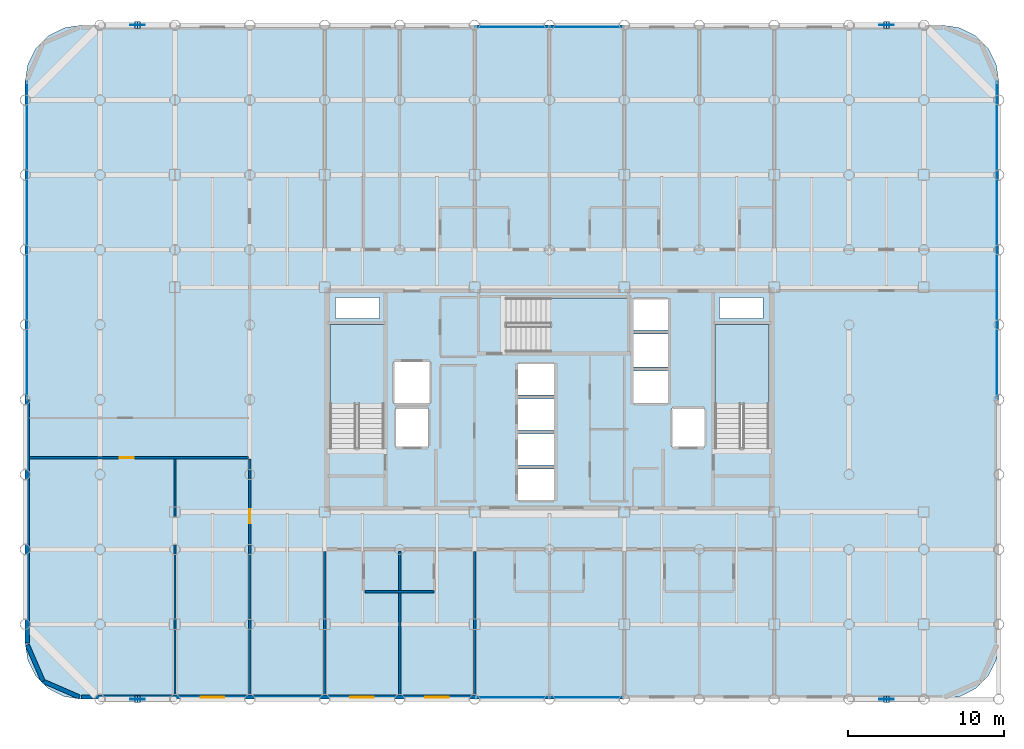
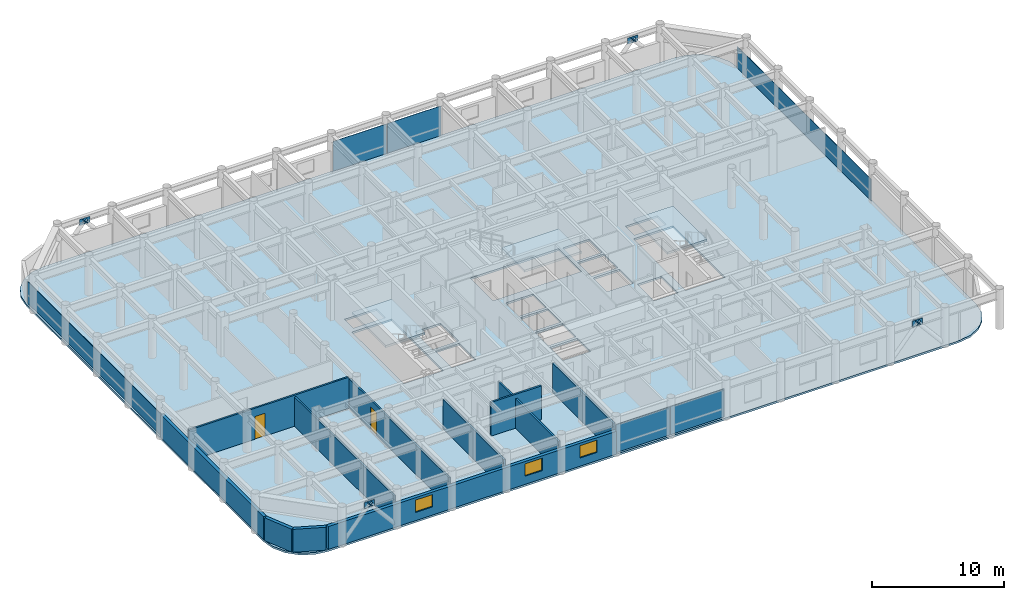
# One storey, part 15 of 20: 18 plates, 11 walls, 4 slabs, 3 windows, 2 doors, 5 openings, 7 elements without a shape of their own.
"""IFC4 building model written with IfcOpenShell, lengths in metres."""

from ifc_helpers import new_model, si_unit, direction, frame, frame_2d, origin, origin_2d, place, context, subcontext, project, spatial, polyline, rectangle, outline, extrude, material, layer, layer_set, type_object, element, fill, aggregate, save


model = new_model("IFC4")

# Units and contexts
model_context = context("Model", 3, precision=1e-05, world=origin(), true_north=direction((0.0, 1.0)))
body_context = subcontext(model_context, "Body", "Model", "MODEL_VIEW")
ifc_project = project(units=[si_unit("LENGTHUNIT", "METRE"), si_unit("AREAUNIT", "SQUARE_METRE"), si_unit("VOLUMEUNIT", "CUBIC_METRE"), si_unit("PLANEANGLEUNIT", "RADIAN"), si_unit("MASSUNIT", "GRAM", prefix="KILO")], contexts=[model_context])

# Site, building, storey
site_placement = place(None, origin())
site = spatial("IfcSite", under=ifc_project, at=site_placement, CompositionType="ELEMENT")
building_placement = place(site_placement, origin())
building = spatial("IfcBuilding", under=site, at=building_placement, Name="Kallvorn Hotel Tower", CompositionType="ELEMENT")
storey_placement = place(building_placement, frame((0.0, 0.0, 132.199951171875)))
storey = spatial("IfcBuildingStorey", under=building, at=storey_placement, Name="L32", CompositionType="ELEMENT", Elevation=132.199951171875)

# Curtain wall, plates
ifc_material_1 = material(Name="Thermally broken black-anodised aluminium AA 6063-T6", Category="aluminium")
ifc_layer_1 = layer(ifc_material_1, 0.2099609375)
ifc_layer_set_1 = layer_set([ifc_layer_1], Name="CW_SYS_4_HOTEL_MID")
curtain_wall_type = type_object("IfcCurtainWallType", Name="CW_SYS_4_HOTEL_MID", PredefinedType="USERDEFINED", material=ifc_layer_set_1)
curtain_wall_1_placement = place(storey_placement, origin())
curtain_wall_1 = element("IfcCurtainWall", 1, at=curtain_wall_1_placement, inside=storey, type_object=curtain_wall_type, Name="L32 Dark-Glass Curtain Wall CW-L32-SC", ObjectType="UNITISED CURTAIN WALL", PredefinedType="USERDEFINED")
ifc_material_2 = material(Name="Double-glazed low-e solar-control dark glass", Category="glass")
ifc_layer_2 = layer(ifc_material_2, 0.037841796875)
ifc_layer_set_2 = layer_set([ifc_layer_2], Name="CW_SYS_4_HOTEL_MID_PANEL")
plate_type_1 = type_object("IfcPlateType", Name="CW_SYS_4_HOTEL_MID_PANEL", PredefinedType="CURTAIN_PANEL", material=ifc_layer_set_2)
plate_1_placement = place(storey_placement, frame((-2.375, -19.080078125, 0.06005859375), z_axis=(0.0, 0.0, 1.0), x_axis=(1.0, 0.0, 0.0)))
plate_1 = element("IfcPlate", 2, at=plate_1_placement, type_object=plate_type_1, Name="CW-L32-SC Vision Glass Panel 00", PredefinedType="CURTAIN_PANEL", context=body_context, shape_type="SweptSolid", body=[
    extrude(rectangle(XDim=4.68994140625, YDim=0.037841796875, at=origin_2d()), origin(), (0.0, 0.0, 1.0), 2.60009765625),
])
plate_2_placement = place(storey_placement, frame((2.375, -19.080078125, 0.06005859375), z_axis=(0.0, 0.0, 1.0), x_axis=(1.0, 0.0, 0.0)))
plate_2 = element("IfcPlate", 3, at=plate_2_placement, type_object=plate_type_1, Name="CW-L32-SC Vision Glass Panel 01", PredefinedType="CURTAIN_PANEL", context=body_context, shape_type="SweptSolid", body=[
    extrude(rectangle(XDim=4.68994140625, YDim=0.037841796875, at=origin_2d()), origin(), (0.0, 0.0, 1.0), 2.60009765625),
])
aggregate(curtain_wall_1, [plate_1, plate_2])

curtain_wall_2_placement = place(storey_placement, origin())
curtain_wall_2 = element("IfcCurtainWall", 4, at=curtain_wall_2_placement, inside=storey, type_object=curtain_wall_type, Name="L32 Dark-Glass Curtain Wall CW-L32-NC", ObjectType="UNITISED CURTAIN WALL", PredefinedType="USERDEFINED")
plate_3_placement = place(storey_placement, frame((-2.375, 23.8798828125, 0.06005859375), z_axis=(0.0, 0.0, 1.0), x_axis=(1.0, 0.0, 0.0)))
plate_3 = element("IfcPlate", 5, at=plate_3_placement, type_object=plate_type_1, Name="CW-L32-NC Vision Glass Panel 00", PredefinedType="CURTAIN_PANEL", context=body_context, shape_type="SweptSolid", body=[
    extrude(rectangle(XDim=4.68994140625, YDim=0.037841796875, at=origin_2d()), origin(), (0.0, 0.0, 1.0), 2.75),
])
plate_4_placement = place(storey_placement, frame((2.375, 23.8798828125, 0.06005859375), z_axis=(0.0, 0.0, 1.0), x_axis=(1.0, 0.0, 0.0)))
plate_4 = element("IfcPlate", 6, at=plate_4_placement, type_object=plate_type_1, Name="CW-L32-NC Vision Glass Panel 01", PredefinedType="CURTAIN_PANEL", context=body_context, shape_type="SweptSolid", body=[
    extrude(rectangle(XDim=4.68994140625, YDim=0.037841796875, at=origin_2d()), origin(), (0.0, 0.0, 1.0), 2.75),
])
aggregate(curtain_wall_2, [plate_3, plate_4])

# Curtain wall, plate
curtain_wall_3_placement = place(storey_placement, origin())
curtain_wall_3 = element("IfcCurtainWall", 7, at=curtain_wall_3_placement, inside=storey, type_object=curtain_wall_type, Name="L32 Dark-Glass Curtain Wall CW-L32-WN", ObjectType="UNITISED CURTAIN WALL", PredefinedType="USERDEFINED")
plate_5_placement = place(storey_placement, frame((-33.47998046875, 10.2099609375, 0.06005859375), z_axis=(0.0, 0.0, 1.0), x_axis=(0.0, 1.0, 0.0)))
plate_5 = element("IfcPlate", 8, at=plate_5_placement, type_object=plate_type_1, Name="CW-L32-WN Vision Glass Panel 00", PredefinedType="CURTAIN_PANEL", context=body_context, shape_type="SweptSolid", body=[
    extrude(rectangle(XDim=20.320068359375, YDim=0.037841796875, at=origin_2d()), origin(), (0.0, 0.0, 1.0), 2.0),
])
aggregate(curtain_wall_3, [plate_5])

curtain_wall_4_placement = place(storey_placement, origin())
curtain_wall_4 = element("IfcCurtainWall", 9, at=curtain_wall_4_placement, inside=storey, type_object=curtain_wall_type, Name="L32 Dark-Glass Curtain Wall CW-L32-EN", ObjectType="UNITISED CURTAIN WALL", PredefinedType="USERDEFINED")
plate_6_placement = place(storey_placement, frame((28.679931640625, 10.2099609375, 0.06005859375), z_axis=(0.0, 0.0, 1.0), x_axis=(0.0, 1.0, 0.0)))
plate_6 = element("IfcPlate", 10, at=plate_6_placement, type_object=plate_type_1, Name="CW-L32-EN Vision Glass Panel 00", PredefinedType="CURTAIN_PANEL", context=body_context, shape_type="SweptSolid", body=[
    extrude(rectangle(XDim=20.320068359375, YDim=0.037841796875, at=origin_2d()), origin(), (0.0, 0.0, 1.0), 2.0),
])
aggregate(curtain_wall_4, [plate_6])

# Plates
ifc_material_3 = material(Name="Structural steel S355JR", Category="steel")
ifc_layer_3 = layer(ifc_material_3, 0.030029296875)
ifc_layer_set_3 = layer_set([ifc_layer_3], Name="PLT_CAP_30")
plate_type_2 = type_object("IfcPlateType", Name="PLT_CAP_30", PredefinedType="SHEET", material=ifc_layer_set_3)
plate_7_placement = place(storey_placement, frame((-26.227294921875, -19.417724609375, 2.876708984375), z_axis=(0.646720691081, 0.0, 0.762726915565), x_axis=(0.0, 1.0, 0.0)))
element("IfcPlate", 11, at=plate_7_placement, inside=storey, type_object=plate_type_2, Name="EXO-L32-S1A End Cap Plate B", PredefinedType="SHEET", context=body_context, shape_type="SweptSolid", body=[
    extrude(outline(polyline([(0.0, 0.0), (0.435546875, 0.0), (0.435546875, 0.4356413597636253), (0.0, 0.4356413597636253), (0.0, 0.0)])), origin(), (0.0, 0.0, -1.0), 0.030029296875),
])
plate_8_placement = place(storey_placement, frame((-26.572509765625, -18.982177734375, 2.876708984375), z_axis=(-0.646997204148, 0.0, 0.762492372306), x_axis=(0.0, -1.0, 0.0)))
element("IfcPlate", 12, at=plate_8_placement, inside=storey, type_object=plate_type_2, Name="EXO-L32-S1B End Cap Plate B", PredefinedType="SHEET", context=body_context, shape_type="SweptSolid", body=[
    extrude(outline(polyline([(0.0, 0.0), (0.435546875, 0.0), (0.435546875, 0.43545517576240456), (0.0, 0.43545517576240456), (0.0, 0.0)])), origin(), (0.0, 0.0, -1.0), 0.030029296875),
])
plate_9_placement = place(storey_placement, frame((21.772705078125, -19.417724609375, 2.876708984375), z_axis=(0.646720691081, 0.0, 0.762726915565), x_axis=(0.0, 1.0, 0.0)))
element("IfcPlate", 13, at=plate_9_placement, inside=storey, type_object=plate_type_2, Name="EXO-L32-S2A End Cap Plate B", PredefinedType="SHEET", context=body_context, shape_type="SweptSolid", body=[
    extrude(outline(polyline([(0.0, 0.0), (0.435546875, 0.0), (0.435546875, 0.4356413597636253), (0.0, 0.4356413597636253), (0.0, 0.0)])), origin(), (0.0, 0.0, -1.0), 0.030029296875),
])
plate_10_placement = place(storey_placement, frame((21.427490234375, -18.982177734375, 2.876708984375), z_axis=(-0.646997204148, 0.0, 0.762492372306), x_axis=(0.0, -1.0, 0.0)))
element("IfcPlate", 14, at=plate_10_placement, inside=storey, type_object=plate_type_2, Name="EXO-L32-S2B End Cap Plate B", PredefinedType="SHEET", context=body_context, shape_type="SweptSolid", body=[
    extrude(outline(polyline([(0.0, 0.0), (0.435546875, 0.0), (0.435546875, 0.43545517576240456), (0.0, 0.43545517576240456), (0.0, 0.0)])), origin(), (0.0, 0.0, -1.0), 0.030029296875),
])
plate_11_placement = place(storey_placement, frame((-26.227294921875, 23.7822265625, 2.876708984375), z_axis=(0.646720691081, 0.0, 0.762726915565), x_axis=(0.0, 1.0, 0.0)))
element("IfcPlate", 15, at=plate_11_placement, inside=storey, type_object=plate_type_2, Name="EXO-L32-N1A End Cap Plate B", PredefinedType="SHEET", context=body_context, shape_type="SweptSolid", body=[
    extrude(outline(polyline([(0.0, 0.0), (0.435546875, 0.0), (0.435546875, 0.4356413597636253), (0.0, 0.4356413597636253), (0.0, 0.0)])), origin(), (0.0, 0.0, -1.0), 0.030029296875),
])
plate_12_placement = place(storey_placement, frame((-26.572509765625, 24.2177734375, 2.876708984375), z_axis=(-0.646997204148, 0.0, 0.762492372306), x_axis=(0.0, -1.0, 0.0)))
element("IfcPlate", 16, at=plate_12_placement, inside=storey, type_object=plate_type_2, Name="EXO-L32-N1B End Cap Plate B", PredefinedType="SHEET", context=body_context, shape_type="SweptSolid", body=[
    extrude(outline(polyline([(0.0, 0.0), (0.435546875, 0.0), (0.435546875, 0.43545517576240456), (0.0, 0.43545517576240456), (0.0, 0.0)])), origin(), (0.0, 0.0, -1.0), 0.030029296875),
])
plate_13_placement = place(storey_placement, frame((21.772705078125, 23.7822265625, 2.876708984375), z_axis=(0.646720691081, 0.0, 0.762726915565), x_axis=(0.0, 1.0, 0.0)))
element("IfcPlate", 17, at=plate_13_placement, inside=storey, type_object=plate_type_2, Name="EXO-L32-N2A End Cap Plate B", PredefinedType="SHEET", context=body_context, shape_type="SweptSolid", body=[
    extrude(outline(polyline([(0.0, 0.0), (0.435546875, 0.0), (0.435546875, 0.4356413597636253), (0.0, 0.4356413597636253), (0.0, 0.0)])), origin(), (0.0, 0.0, -1.0), 0.030029296875),
])
plate_14_placement = place(storey_placement, frame((21.427490234375, 24.2177734375, 2.876708984375), z_axis=(-0.646997204148, 0.0, 0.762492372306), x_axis=(0.0, -1.0, 0.0)))
element("IfcPlate", 18, at=plate_14_placement, inside=storey, type_object=plate_type_2, Name="EXO-L32-N2B End Cap Plate B", PredefinedType="SHEET", context=body_context, shape_type="SweptSolid", body=[
    extrude(outline(polyline([(0.0, 0.0), (0.435546875, 0.0), (0.435546875, 0.43545517576240456), (0.0, 0.43545517576240456), (0.0, 0.0)])), origin(), (0.0, 0.0, -1.0), 0.030029296875),
])
ifc_material_4 = material(Name="Structural steel S355JR", Category="steel")
ifc_layer_4 = layer(ifc_material_4, 0.044921875)
ifc_layer_set_4 = layer_set([ifc_layer_4], Name="PLT_GUSSET_45")
plate_type_3 = type_object("IfcPlateType", Name="PLT_GUSSET_45", PredefinedType="USERDEFINED", material=ifc_layer_set_4)
for number, where, z_axis, x_axis, name in (
    (19, (-26.39990234375, -19.199951171875, 2.68994140625), (0.0, 0.0, 1.0), (1.0, 0.0, 0.0), "L32 Exoskeleton Node Gusset S1"),
    (20, (21.60009765625, -19.199951171875, 2.68994140625), (0.0, 0.0, 1.0), (1.0, 0.0, 0.0), "L32 Exoskeleton Node Gusset S2"),
    (21, (-26.39990234375, 24.0, 2.68994140625), (0.0, 0.0, 1.0), (1.0, 0.0, 0.0), "L32 Exoskeleton Node Gusset N1"),
    (22, (21.60009765625, 24.0, 2.68994140625), (0.0, 0.0, 1.0), (1.0, 0.0, 0.0), "L32 Exoskeleton Node Gusset N2"),
):
    element("IfcPlate", number, at=place(storey_placement, frame(where, z_axis=z_axis, x_axis=x_axis)), inside=storey, type_object=plate_type_3, Name=name, ObjectType="GUSSET PLATE", PredefinedType="USERDEFINED", context=body_context, shape_type="SweptSolid", body=[
        extrude(rectangle(XDim=0.89990234375, YDim=0.044921875, at=origin_2d()), origin(), (0.0, 0.0, 1.0), 0.56005859375),
    ])

# Stair, slab
ifc_material_5 = material(Name="Precast concrete C40/50", Category="concrete")
stair_type = type_object("IfcStairType", Name="STR_CORE_DOGLEG", PredefinedType="HALF_TURN_STAIR", material=ifc_material_5)
stair_1_placement = place(storey_placement, origin())
stair_1 = element("IfcStair", 23, at=stair_1_placement, inside=storey, type_object=stair_type, Name="L32 Exit stair ST1", PredefinedType="HALF_TURN_STAIR")
ifc_material_6 = material(Name="Precast concrete C40/50", Category="concrete")
ifc_layer_5 = layer(ifc_material_6, 0.179931640625)
ifc_layer_set_5 = layer_set([ifc_layer_5], Name="SLB_LANDING_180")
slab_type_1 = type_object("IfcSlabType", Name="SLB_LANDING_180", PredefinedType="LANDING", material=ifc_layer_set_5)
slab_1_placement = place(storey_placement, frame((0.0, 0.0, 1.650146484375)))
slab_1 = element("IfcSlab", 24, at=slab_1_placement, type_object=slab_type_1, Name="ST1 landing 1", PredefinedType="LANDING", context=body_context, shape_type="SweptSolid", body=[
    extrude(outline(polyline([(-10.60009765625, -0.31005859375), (-10.60009765625, 4.800048828125), (-14.06005859375, 4.800048828125), (-14.06005859375, -0.31005859375), (-10.60009765625, -0.31005859375)])), origin(), (0.0, 0.0, 1.0), 0.199951171875),
])
aggregate(stair_1, [slab_1])

stair_2_placement = place(storey_placement, origin())
stair_2 = element("IfcStair", 25, at=stair_2_placement, inside=storey, type_object=stair_type, Name="L32 Exit stair ST2", PredefinedType="HALF_TURN_STAIR")
slab_2_placement = place(storey_placement, frame((0.0, 0.0, 1.650146484375)))
slab_2 = element("IfcSlab", 26, at=slab_2_placement, type_object=slab_type_1, Name="ST2 landing 1", PredefinedType="LANDING", context=body_context, shape_type="SweptSolid", body=[
    extrude(outline(polyline([(14.06005859375, -0.31005859375), (14.06005859375, 4.800048828125), (10.60009765625, 4.800048828125), (10.60009765625, -0.31005859375), (14.06005859375, -0.31005859375)])), origin(), (0.0, 0.0, 1.0), 0.199951171875),
])
aggregate(stair_2, [slab_2])

stair_3_placement = place(storey_placement, origin())
stair_3 = element("IfcStair", 27, at=stair_3_placement, inside=storey, type_object=stair_type, Name="L32 Exit stair ST3", PredefinedType="HALF_TURN_STAIR")
slab_3_placement = place(storey_placement, frame((0.0, 0.0, 1.650146484375)))
slab_3 = element("IfcSlab", 28, at=slab_3_placement, type_object=slab_type_1, Name="ST3 landing 1", PredefinedType="LANDING", context=body_context, shape_type="SweptSolid", body=[
    extrude(outline(polyline([(0.0400390625, 3.050048828125), (5.050048828125, 3.050048828125), (5.050048828125, 6.510009765625), (0.0400390625, 6.510009765625), (0.0400390625, 3.050048828125)])), origin(), (0.0, 0.0, 1.0), 0.199951171875),
])
aggregate(stair_3, [slab_3])

# Slab
ifc_material_7 = material(Name="Concrete C40/50", Category="concrete")
ifc_layer_6 = layer(ifc_material_7, 0.179931640625)
ifc_layer_set_6 = layer_set([ifc_layer_6], Name="SLB_TOWER_180")
slab_type_2 = type_object("IfcSlabType", Name="SLB_TOWER_180", PredefinedType="FLOOR", material=ifc_layer_set_6)
slab_4_placement = place(storey_placement, frame((0.0, 0.0, -0.179931640625)))
element("IfcSlab", 29, at=slab_4_placement, inside=storey, type_object=slab_type_2, Name="L32 Structural Floor Slab", PredefinedType="FLOOR", context=body_context, shape_type="SweptSolid", body=[
    extrude(outline(polyline([(25.199951171875, -19.199951171875), (26.3125, -19.023681640625), (27.31591796875, -18.512451171875), (28.112548828125, -17.716064453125), (28.623779296875, -16.71240234375), (28.800048828125, -15.60009765625), (28.800048828125, 20.39990234375), (28.623779296875, 21.512451171875), (28.112548828125, 22.51611328125), (27.31591796875, 23.3125), (26.3125, 23.82373046875), (25.199951171875, 24.0), (-30.0, 24.0), (-31.112548828125, 23.82373046875), (-32.115966796875, 23.3125), (-32.91259765625, 22.51611328125), (-33.423828125, 21.512451171875), (-33.60009765625, 20.39990234375), (-33.60009765625, -15.60009765625), (-33.423828125, -16.71240234375), (-32.91259765625, -17.716064453125), (-32.115966796875, -18.512451171875), (-31.112548828125, -19.023681640625), (-30.0, -19.199951171875), (25.199951171875, -19.199951171875)]), holes=[polyline([(-10.60009765625, -3.070068359375), (-10.60009765625, 4.800048828125), (-14.06005859375, 4.800048828125), (-14.06005859375, -3.070068359375), (-10.60009765625, -3.070068359375)]), polyline([(14.06005859375, -3.070068359375), (14.06005859375, 4.800048828125), (10.60009765625, 4.800048828125), (10.60009765625, -3.070068359375), (14.06005859375, -3.070068359375)]), polyline([(-2.719970703125, 3.050048828125), (5.050048828125, 3.050048828125), (5.050048828125, 6.510009765625), (-2.719970703125, 6.510009765625), (-2.719970703125, 3.050048828125)]), polyline([(-2.050048828125, -6.449951171875), (0.35009765625, -6.449951171875), (0.35009765625, -4.449951171875), (-2.050048828125, -4.449951171875), (-2.050048828125, -6.449951171875)]), polyline([(-2.050048828125, -4.199951171875), (0.35009765625, -4.199951171875), (0.35009765625, -2.199951171875), (-2.050048828125, -2.199951171875), (-2.050048828125, -4.199951171875)]), polyline([(-2.050048828125, -1.949951171875), (0.35009765625, -1.949951171875), (0.35009765625, 0.050048828125), (-2.050048828125, 0.050048828125), (-2.050048828125, -1.949951171875)]), polyline([(-2.050048828125, 0.300048828125), (0.35009765625, 0.300048828125), (0.35009765625, 2.300048828125), (-2.050048828125, 2.300048828125), (-2.050048828125, 0.300048828125)]), polyline([(5.35009765625, -0.25), (7.64990234375, -0.25), (7.64990234375, 1.85009765625), (5.35009765625, 1.85009765625), (5.35009765625, -0.25)]), polyline([(5.35009765625, 2.10009765625), (7.64990234375, 2.10009765625), (7.64990234375, 4.199951171875), (5.35009765625, 4.199951171875), (5.35009765625, 2.10009765625)]), polyline([(5.35009765625, 4.449951171875), (7.64990234375, 4.449951171875), (7.64990234375, 6.449951171875), (5.35009765625, 6.449951171875), (5.35009765625, 4.449951171875)]), polyline([(-9.85009765625, -3.050048828125), (-7.75, -3.050048828125), (-7.75, -0.550048828125), (-9.85009765625, -0.550048828125), (-9.85009765625, -3.050048828125)]), polyline([(7.85009765625, -3.050048828125), (9.949951171875, -3.050048828125), (9.949951171875, -0.550048828125), (7.85009765625, -0.550048828125), (7.85009765625, -3.050048828125)]), polyline([(-9.949951171875, -0.25), (-7.64990234375, -0.25), (-7.64990234375, 2.449951171875), (-9.949951171875, 2.449951171875), (-9.949951171875, -0.25)]), polyline([(-13.699951171875, 5.199951171875), (-10.89990234375, 5.199951171875), (-10.89990234375, 6.550048828125), (-13.699951171875, 6.550048828125), (-13.699951171875, 5.199951171875)]), polyline([(10.89990234375, 5.199951171875), (13.699951171875, 5.199951171875), (13.699951171875, 6.550048828125), (10.89990234375, 6.550048828125), (10.89990234375, 5.199951171875)])]), origin(), (0.0, 0.0, 1.0), 0.179931640625),
])

# Walls
ifc_material_8 = material(Name="Fire-rated double-layer acoustic gypsum drywall EI 60")
ifc_layer_7 = layer(ifc_material_8, 0.159912109375)
ifc_layer_set_7 = layer_set([ifc_layer_7], Name="WL_DEMISE_160")
wall_type_1 = type_object("IfcWallType", Name="WL_DEMISE_160", PredefinedType="PARTITIONING", material=ifc_layer_set_7)
wall_1_placement = place(storey_placement, frame((-11.81005859375, -12.320068359375, 0.0), z_axis=(0.0, 0.0, 1.0), x_axis=(1.0, 0.0, 0.0)))
element("IfcWall", 30, at=wall_1_placement, inside=storey, type_object=wall_type_1, Name="L32 Suite 3201 Superior Twin Room Partition", PredefinedType="PARTITIONING", context=body_context, shape_type="SweptSolid", body=[
    extrude(rectangle(XDim=4.420166015625, YDim=0.159912109375, at=frame_2d((2.2099609375, 0.0))), origin(), (0.0, 0.0, 1.0), 3.1201171875),
])
for number, where, z_axis, x_axis, name in (
    (31, (-14.39990234375, -18.909912109375, 0.0), (0.0, 0.0, 1.0), (0.0, 1.0, 0.0), "L32 Suite 3201 Superior Twin Room Partition"),
    (32, (-9.60009765625, -18.909912109375, 0.0), (0.0, 0.0, 1.0), (0.0, 1.0, 0.0), "L32 Suite 3201 Superior Twin Room Partition"),
    (33, (-4.800048828125, -18.909912109375, 0.0), (0.0, 0.0, 1.0), (0.0, 1.0, 0.0), "L32 Suite 3202 Superior Twin Room Partition"),
):
    element("IfcWall", number, at=place(storey_placement, frame(where, z_axis=z_axis, x_axis=x_axis)), inside=storey, type_object=wall_type_1, Name=name, PredefinedType="PARTITIONING", context=body_context, shape_type="SweptSolid", body=[
        extrude(rectangle(XDim=9.18994140625, YDim=0.159912109375, at=frame_2d((4.594970703125, 0.0))), origin(), (0.0, 0.0, 1.0), 2.719970703125),
    ])
ifc_material_9 = material(Name="Precast basalt-clad insulated concrete wall C40/50", Category="masonry")
ifc_layer_8 = layer(ifc_material_9, 0.280029296875)
ifc_layer_set_8 = layer_set([ifc_layer_8], Name="WL_EXT_LOGGIA_280")
wall_type_2 = type_object("IfcWallType", Name="WL_EXT_LOGGIA_280", PredefinedType="SOLIDWALL", material=ifc_layer_set_8)
wall_2_placement = place(storey_placement, frame((-33.4580078125, -15.720703125, 0.0), z_axis=(0.0, 0.0, 1.0), x_axis=(0.398792985289, -0.917040977756, 0.0)))
element("IfcWall", 34, at=wall_2_placement, inside=storey, type_object=wall_type_2, Name="L32 Rounded Corner Exterior Wall SW1", PredefinedType="SOLIDWALL", context=body_context, shape_type="SweptSolid", body=[
    extrude(rectangle(XDim=2.536376953125, YDim=0.280029296875, at=frame_2d((1.26806640625, 0.0))), origin(), (0.0, 0.0, 1.0), 2.1201171875),
])
wall_3_placement = place(storey_placement, frame((-32.446533203125, -18.046630859375, 0.0), z_axis=(0.0, 0.0, 1.0), x_axis=(0.917060872934, -0.398747232384, 0.0)))
element("IfcWall", 35, at=wall_3_placement, inside=storey, type_object=wall_type_2, Name="L32 Rounded Corner Exterior Wall SW2", PredefinedType="SOLIDWALL", context=body_context, shape_type="SweptSolid", body=[
    extrude(rectangle(XDim=2.5361328125, YDim=0.280029296875, at=frame_2d((1.26806640625, 0.0))), origin(), (0.0, 0.0, 1.0), 2.1201171875),
])

# Wall, openings, windows
wall_4_placement = place(storey_placement, frame((-30.0, -19.06005859375, 0.0), z_axis=(0.0, 0.0, 1.0), x_axis=(1.0, 0.0, 0.0)))
wall_4 = element("IfcWall", 36, at=wall_4_placement, inside=storey, type_object=wall_type_2, Name="L32 Exterior Envelope Wall EW-L32-SW", PredefinedType="SOLIDWALL", context=body_context, shape_type="SweptSolid", body=[
    extrude(rectangle(XDim=25.25, YDim=0.280029296875, at=frame_2d((12.625, 0.0))), origin(), (0.0, 0.0, 1.0), 2.1201171875),
])
opening_1_placement = place(wall_4_placement, frame((7.64990234375, 0.0, 0.75)))
opening_1 = element("IfcOpeningElement", 37, at=opening_1_placement, cuts=wall_4, Name="Opening W05A", PredefinedType="OPENING", context=body_context, shape_type="SweptSolid", body=[
    extrude(rectangle(XDim=1.5, YDim=1.14990234375, at=frame_2d((0.75, 0.574951171875))), frame((0.0, 0.155029296875, 0.0), z_axis=(0.0, -1.0, 0.0), x_axis=(1.0, 0.0, 0.0)), (0.0, 0.0, 1.0), 0.31005859375),
])
opening_2_placement = place(wall_4_placement, frame((17.25, 0.0, 0.75)))
opening_2 = element("IfcOpeningElement", 38, at=opening_2_placement, cuts=wall_4, Name="Opening W05A", PredefinedType="OPENING", context=body_context, shape_type="SweptSolid", body=[
    extrude(rectangle(XDim=1.5, YDim=1.14990234375, at=frame_2d((0.75, 0.574951171875))), frame((0.0, 0.155029296875, 0.0), z_axis=(0.0, -1.0, 0.0), x_axis=(1.0, 0.0, 0.0)), (0.0, 0.0, 1.0), 0.31005859375),
])
opening_3_placement = place(wall_4_placement, frame((22.050048828125, 0.0, 0.75)))
opening_3 = element("IfcOpeningElement", 39, at=opening_3_placement, cuts=wall_4, Name="Opening W05A", PredefinedType="OPENING", context=body_context, shape_type="SweptSolid", body=[
    extrude(rectangle(XDim=1.5, YDim=1.14990234375, at=frame_2d((0.75, 0.574951171875))), frame((0.0, 0.155029296875, 0.0), z_axis=(0.0, -1.0, 0.0), x_axis=(1.0, 0.0, 0.0)), (0.0, 0.0, 1.0), 0.31005859375),
])
ifc_material_10 = material(Name="Double-glazed low-e solar-control dark glass", Category="glass")
window_type = type_object("IfcWindowType", Name="WN_HTL_1500x1150", PartitioningType="SINGLE_PANEL", PredefinedType="WINDOW", material=ifc_material_10)
window_1_placement = place(opening_1_placement, origin())
window_1 = element("IfcWindow", 40, at=window_1_placement, inside=storey, type_object=window_type, Name="L32 Guestroom Exterior Window 01", OverallHeight=1.14990234375, OverallWidth=1.5, PartitioningType="SINGLE_PANEL", PredefinedType="WINDOW", context=body_context, shape_type="SweptSolid", body=[
    extrude(rectangle(XDim=1.5, YDim=1.14990234375, at=frame_2d((0.75, 0.574951171875))), frame((0.0, 0.030029296875, 0.0), z_axis=(0.0, -1.0, 0.0), x_axis=(1.0, 0.0, 0.0)), (0.0, 0.0, 1.0), 0.06005859375),
])
fill(opening_1, window_1)
window_2_placement = place(opening_2_placement, origin())
window_2 = element("IfcWindow", 41, at=window_2_placement, inside=storey, type_object=window_type, Name="L32 Guestroom Exterior Window 05", OverallHeight=1.14990234375, OverallWidth=1.5, PartitioningType="SINGLE_PANEL", PredefinedType="WINDOW", context=body_context, shape_type="SweptSolid", body=[
    extrude(rectangle(XDim=1.5, YDim=1.14990234375, at=frame_2d((0.75, 0.574951171875))), frame((0.0, 0.030029296875, 0.0), z_axis=(0.0, -1.0, 0.0), x_axis=(1.0, 0.0, 0.0)), (0.0, 0.0, 1.0), 0.06005859375),
])
fill(opening_2, window_2)
window_3_placement = place(opening_3_placement, origin())
window_3 = element("IfcWindow", 42, at=window_3_placement, inside=storey, type_object=window_type, Name="L32 Guestroom Exterior Window 06", OverallHeight=1.14990234375, OverallWidth=1.5, PartitioningType="SINGLE_PANEL", PredefinedType="WINDOW", context=body_context, shape_type="SweptSolid", body=[
    extrude(rectangle(XDim=1.5, YDim=1.14990234375, at=frame_2d((0.75, 0.574951171875))), frame((0.0, 0.030029296875, 0.0), z_axis=(0.0, -1.0, 0.0), x_axis=(1.0, 0.0, 0.0)), (0.0, 0.0, 1.0), 0.06005859375),
])
fill(opening_3, window_3)

# Wall
wall_5_placement = place(storey_placement, frame((-33.4599609375, -15.60009765625, 0.0), z_axis=(0.0, 0.0, 1.0), x_axis=(0.0, 1.0, 0.0)))
element("IfcWall", 43, at=wall_5_placement, inside=storey, type_object=wall_type_2, Name="L32 Exterior Envelope Wall EW-L32-WS", PredefinedType="SOLIDWALL", context=body_context, shape_type="SweptSolid", body=[
    extrude(rectangle(XDim=15.580078125, YDim=0.280029296875, at=frame_2d((7.7900390625, 0.0))), origin(), (0.0, 0.0, 1.0), 2.1201171875),
])

# Wall, opening, door
ifc_material_11 = material(Name="Fire-rated double-layer acoustic gypsum drywall EI 60")
ifc_layer_9 = layer(ifc_material_11, 0.14990234375)
ifc_layer_set_9 = layer_set([ifc_layer_9], Name="WL_PART_150")
wall_type_3 = type_object("IfcWallType", Name="WL_PART_150", PredefinedType="PARTITIONING", material=ifc_layer_set_9)
wall_6_placement = place(storey_placement, frame((-33.31005859375, -3.719970703125, 0.0), z_axis=(0.0, 0.0, 1.0), x_axis=(1.0, 0.0, 0.0)))
wall_6 = element("IfcWall", 44, at=wall_6_placement, inside=storey, type_object=wall_type_3, Name="L32 L32 Outer South-West Tea Bar Partition", PredefinedType="PARTITIONING", context=body_context, shape_type="SweptSolid", body=[
    extrude(rectangle(XDim=14.030029296875, YDim=0.14990234375, at=frame_2d((7.01513671875, 0.0))), origin(), (0.0, 0.0, 1.0), 2.8701171875),
])
opening_4_placement = place(wall_6_placement, frame((5.78515625, 0.0, 0.0)))
opening_4 = element("IfcOpeningElement", 45, at=opening_4_placement, cuts=wall_6, Name="Opening SVD1", PredefinedType="OPENING", context=body_context, shape_type="SweptSolid", body=[
    extrude(rectangle(XDim=0.89990234375, YDim=2.10009765625, at=frame_2d((0.449951171875, 1.050048828125))), frame((0.0, 0.08984375, 0.0), z_axis=(0.0, -1.0, 0.0), x_axis=(1.0, 0.0, 0.0)), (0.0, 0.0, 1.0), 0.179931640625),
])
ifc_material_12 = material(Name="Galvanised painted steel fire-rated door assembly", Category="steel")
door_type = type_object("IfcDoorType", Name="DR_SERV_900x2100", OperationType="NOTDEFINED", PredefinedType="DOOR", material=ifc_material_12)
door_1_placement = place(opening_4_placement, origin())
door_1 = element("IfcDoor", 46, at=door_1_placement, inside=storey, type_object=door_type, Name="L32 L32 Outer South-West Tea Bar Door", OperationType="SINGLE_SWING_LEFT", OverallHeight=2.10009765625, OverallWidth=0.89990234375, PredefinedType="DOOR", context=body_context, shape_type="SweptSolid", body=[
    extrude(rectangle(XDim=0.89990234375, YDim=2.10009765625, at=frame_2d((0.449951171875, 1.050048828125))), frame((0.0, 0.02490234375, 0.0), z_axis=(0.0, -1.0, 0.0), x_axis=(1.0, 0.0, 0.0)), (0.0, 0.0, 1.0), 0.050048828125),
])
fill(opening_4, door_1)

# Wall
wall_7_placement = place(storey_placement, frame((-24.0, -18.909912109375, 0.0), z_axis=(0.0, 0.0, 1.0), x_axis=(0.0, 1.0, 0.0)))
element("IfcWall", 47, at=wall_7_placement, inside=storey, type_object=wall_type_3, Name="L32 L32 Inner South-West Wine Gallery Partition", PredefinedType="PARTITIONING", context=body_context, shape_type="SweptSolid", body=[
    extrude(rectangle(XDim=15.10498046875, YDim=0.14990234375, at=frame_2d((7.552490234375, 0.0))), origin(), (0.0, 0.0, 1.0), 2.719970703125),
])

# Wall, opening, door
wall_8_placement = place(storey_placement, frame((-19.199951171875, -18.909912109375, 0.0), z_axis=(0.0, 0.0, 1.0), x_axis=(0.0, 1.0, 0.0)))
wall_8 = element("IfcWall", 48, at=wall_8_placement, inside=storey, type_object=wall_type_3, Name="L32 L32 Inner South-West Wine Gallery Partition", PredefinedType="PARTITIONING", context=body_context, shape_type="SweptSolid", body=[
    extrude(rectangle(XDim=15.10498046875, YDim=0.14990234375, at=frame_2d((7.552490234375, 0.0))), origin(), (0.0, 0.0, 1.0), 2.719970703125),
])
opening_5_placement = place(wall_8_placement, frame((10.99267578125, 0.0, 0.0)))
opening_5 = element("IfcOpeningElement", 49, at=opening_5_placement, cuts=wall_8, Name="Opening SVD1", PredefinedType="OPENING", context=body_context, shape_type="SweptSolid", body=[
    extrude(rectangle(XDim=0.89990234375, YDim=2.10009765625, at=frame_2d((0.449951171875, 1.050048828125))), frame((0.0, 0.08984375, 0.0), z_axis=(0.0, -1.0, 0.0), x_axis=(1.0, 0.0, 0.0)), (0.0, 0.0, 1.0), 0.179931640625),
])
door_2_placement = place(opening_5_placement, origin())
door_2 = element("IfcDoor", 50, at=door_2_placement, inside=storey, type_object=door_type, Name="L32 L32 Inner South-West Wine Gallery Door", OperationType="SINGLE_SWING_LEFT", OverallHeight=2.10009765625, OverallWidth=0.89990234375, PredefinedType="DOOR", context=body_context, shape_type="SweptSolid", body=[
    extrude(rectangle(XDim=0.89990234375, YDim=2.10009765625, at=frame_2d((0.449951171875, 1.050048828125))), frame((0.0, 0.02490234375, 0.0), z_axis=(0.0, -1.0, 0.0), x_axis=(1.0, 0.0, 0.0)), (0.0, 0.0, 1.0), 0.050048828125),
])
fill(opening_5, door_2)

save(model, "model.ifc")
